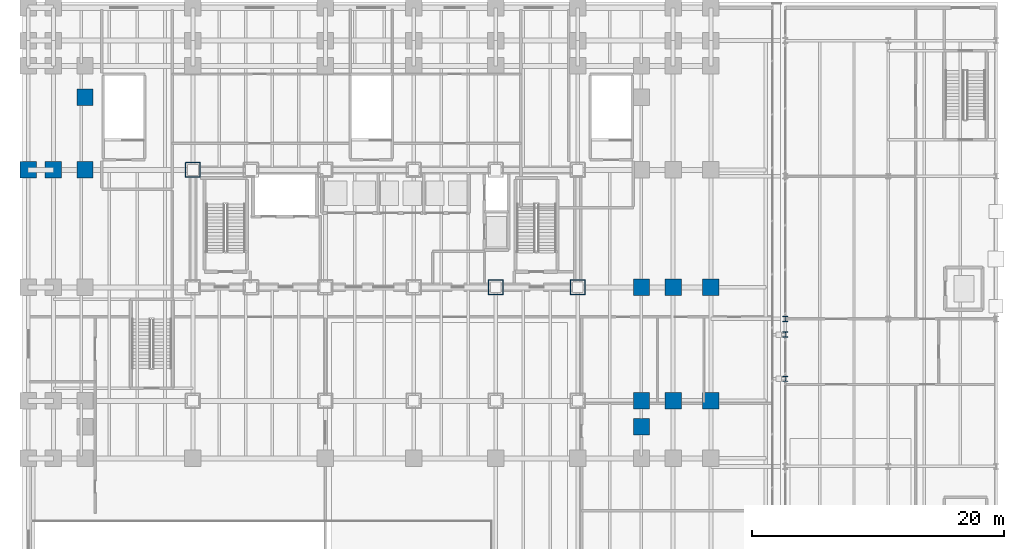
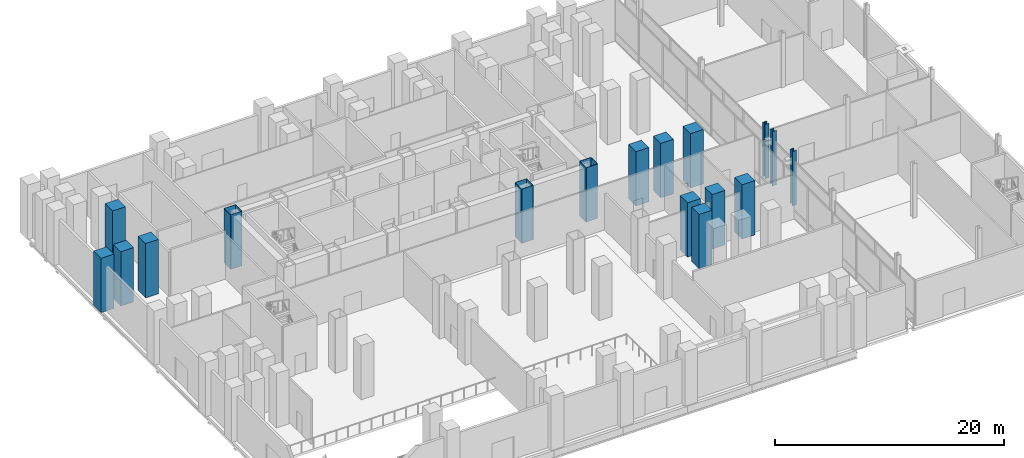
# One storey, part 3 of 36: 17 columns.
"""IFC4 building model written with IfcOpenShell, lengths in metres."""

from ifc_helpers import new_model, si_unit, direction, frame, origin, origin_2d, place, context, subcontext, project, spatial, rectangle, hollow_rectangle, i_section, extrude, material, material_profile, profile_set, type_object, element, save


model = new_model("IFC4")

# Units and contexts
model_context = context("Model", 3, precision=1e-05, world=origin(), true_north=direction((0.0, 1.0)))
body_context = subcontext(model_context, "Body", "Model", "MODEL_VIEW")
ifc_project = project(units=[si_unit("LENGTHUNIT", "METRE"), si_unit("AREAUNIT", "SQUARE_METRE"), si_unit("VOLUMEUNIT", "CUBIC_METRE"), si_unit("PLANEANGLEUNIT", "RADIAN"), si_unit("MASSUNIT", "GRAM", prefix="KILO")], contexts=[model_context])

# Site, building, storey
site_placement = place(None, origin())
site = spatial("IfcSite", under=ifc_project, at=site_placement, CompositionType="ELEMENT")
building_placement = place(site_placement, origin())
building = spatial("IfcBuilding", under=site, at=building_placement, Name="Noeulbin Bourse Tower", CompositionType="ELEMENT")
storey_placement = place(building_placement, origin())
storey = spatial("IfcBuildingStorey", under=building, at=storey_placement, Name="L01", CompositionType="ELEMENT", Elevation=0.0)

# Columns
ifc_material_1 = material(Name="Steel S355", Category="steel")
ifc_material_profile_1 = material_profile(ifc_material_1, i_section(OverallWidth=0.406982421875, OverallDepth=0.427978515625, WebThickness=0.02001953125, FlangeThickness=0.034912109375, FilletRadius=0.02197265625, at=origin_2d()), Name="H-428x407x20x35", Category="LoadBearing")
ifc_profile_set_1 = profile_set([ifc_material_profile_1], Name="Steel S355")
column_type_1 = type_object("IfcColumnType", Name="COL-MKT-ST", PredefinedType="COLUMN", material=ifc_profile_set_1)
for number, where, z_axis, x_axis, name in (
    (1, (60.449951171875, 21.75, 0.0), (0.0, 0.0, 1.0), (1.0, 0.0, 0.0), "Market Hall Column COL-MKT-ST 03"),
    (2, (60.449951171875, 25.25, 0.0), (0.0, 0.0, 1.0), (1.0, 0.0, 0.0), "Market Hall Column COL-MKT-ST 04"),
    (3, (60.449951171875, 26.5, 0.0), (0.0, 0.0, 1.0), (1.0, 0.0, 0.0), "Market Hall Column COL-MKT-ST 05"),
):
    element("IfcColumn", number, at=place(storey_placement, frame(where, z_axis=z_axis, x_axis=x_axis)), inside=storey, type_object=column_type_1, Name=name, PredefinedType="COLUMN", context=body_context, shape_type="SweptSolid", body=[
        extrude(i_section(OverallWidth=0.406982421875, OverallDepth=0.427978515625, WebThickness=0.02001953125, FlangeThickness=0.034912109375, FilletRadius=0.02197265625, at=origin_2d()), origin(), (0.0, 0.0, 1.0), 5.800048828125),
    ])
ifc_material_2 = material(Name="Concrete C60/75", Category="concrete")
ifc_material_profile_2 = material_profile(ifc_material_2, rectangle(XDim=1.300048828125, YDim=1.300048828125, at=origin_2d()), Name="RC-COL-1300x1300", Category="LoadBearing")
ifc_profile_set_2 = profile_set([ifc_material_profile_2], Name="Concrete C60/75")
column_type_2 = type_object("IfcColumnType", Name="COL-POD-RC", PredefinedType="COLUMN", material=ifc_profile_set_2)
for number, where, z_axis, x_axis, name in (
    (4, (0.449951171875, 38.300048828125, 0.0), (0.0, 0.0, 1.0), (1.0, 0.0, 0.0), "Podium Column COL-POD-RC 06"),
    (5, (2.449951171875, 38.300048828125, 0.0), (0.0, 0.0, 1.0), (1.0, 0.0, 0.0), "Podium Column COL-POD-RC 15"),
    (6, (4.949951171875, 38.300048828125, 0.0), (0.0, 0.0, 1.0), (1.0, 0.0, 0.0), "Podium Column COL-POD-RC 23"),
    (7, (4.949951171875, 44.050048828125, 0.0), (0.0, 0.0, 1.0), (1.0, 0.0, 0.0), "Podium Column COL-POD-RC 24"),
    (8, (49.050048828125, 17.949951171875, 0.0), (0.0, 0.0, 1.0), (1.0, 0.0, 0.0), "Podium Column COL-POD-RC 57"),
    (9, (49.050048828125, 20.0, 0.0), (0.0, 0.0, 1.0), (1.0, 0.0, 0.0), "Podium Column COL-POD-RC 58"),
    (10, (49.050048828125, 29.0, 0.0), (0.0, 0.0, 1.0), (1.0, 0.0, 0.0), "Podium Column COL-POD-RC 59"),
    (11, (51.550048828125, 20.0, 0.0), (0.0, 0.0, 1.0), (1.0, 0.0, 0.0), "Podium Column COL-POD-RC 66"),
    (12, (51.550048828125, 29.0, 0.0), (0.0, 0.0, 1.0), (1.0, 0.0, 0.0), "Podium Column COL-POD-RC 67"),
    (13, (54.550048828125, 20.0, 0.0), (0.0, 0.0, 1.0), (1.0, 0.0, 0.0), "Podium Column COL-POD-RC 75"),
    (14, (54.550048828125, 29.0, 0.0), (0.0, 0.0, 1.0), (1.0, 0.0, 0.0), "Podium Column COL-POD-RC 76"),
):
    element("IfcColumn", number, at=place(storey_placement, frame(where, z_axis=z_axis, x_axis=x_axis)), inside=storey, type_object=column_type_2, Name=name, PredefinedType="COLUMN", context=body_context, shape_type="SweptSolid", body=[
        extrude(rectangle(XDim=1.300048828125, YDim=1.300048828125, at=origin_2d()), origin(), (0.0, 0.0, 1.0), 5.800048828125),
    ])
ifc_material_3 = material(Name="Steel S460", Category="steel")
ifc_material_profile_3 = material_profile(ifc_material_3, hollow_rectangle(XDim=1.199951171875, YDim=1.199951171875, WallThickness=0.0400390625, InnerFilletRadius=0.02001953125, OuterFilletRadius=0.06005859375, at=origin_2d()), Name="BOX-1200x1200x40", Category="LoadBearing")
ifc_profile_set_3 = profile_set([ifc_material_profile_3], Name="Steel S460")
column_type_3 = type_object("IfcColumnType", Name="COL-TRK-Z0", PredefinedType="COLUMN", material=ifc_profile_set_3)
for number, where, z_axis, x_axis, name in (
    (15, (13.5, 38.300048828125, 0.0), (0.0, 0.0, 1.0), (1.0, 0.0, 0.0), "Tower Trunk Mega-Column COL-TRK-Z0 02"),
    (16, (37.5, 29.0, 0.0), (0.0, 0.0, 1.0), (1.0, 0.0, 0.0), "Tower Trunk Mega-Column COL-TRK-Z0 09"),
    (17, (44.0, 29.0, 0.0), (0.0, 0.0, 1.0), (1.0, 0.0, 0.0), "Tower Trunk Mega-Column COL-TRK-Z0 11"),
):
    element("IfcColumn", number, at=place(storey_placement, frame(where, z_axis=z_axis, x_axis=x_axis)), inside=storey, type_object=column_type_3, Name=name, PredefinedType="COLUMN", context=body_context, shape_type="SweptSolid", body=[
        extrude(hollow_rectangle(XDim=1.199951171875, YDim=1.199951171875, WallThickness=0.0400390625, InnerFilletRadius=0.02001953125, OuterFilletRadius=0.06005859375, at=origin_2d()), origin(), (0.0, 0.0, 1.0), 5.800048828125),
    ])

save(model, "model.ifc")
